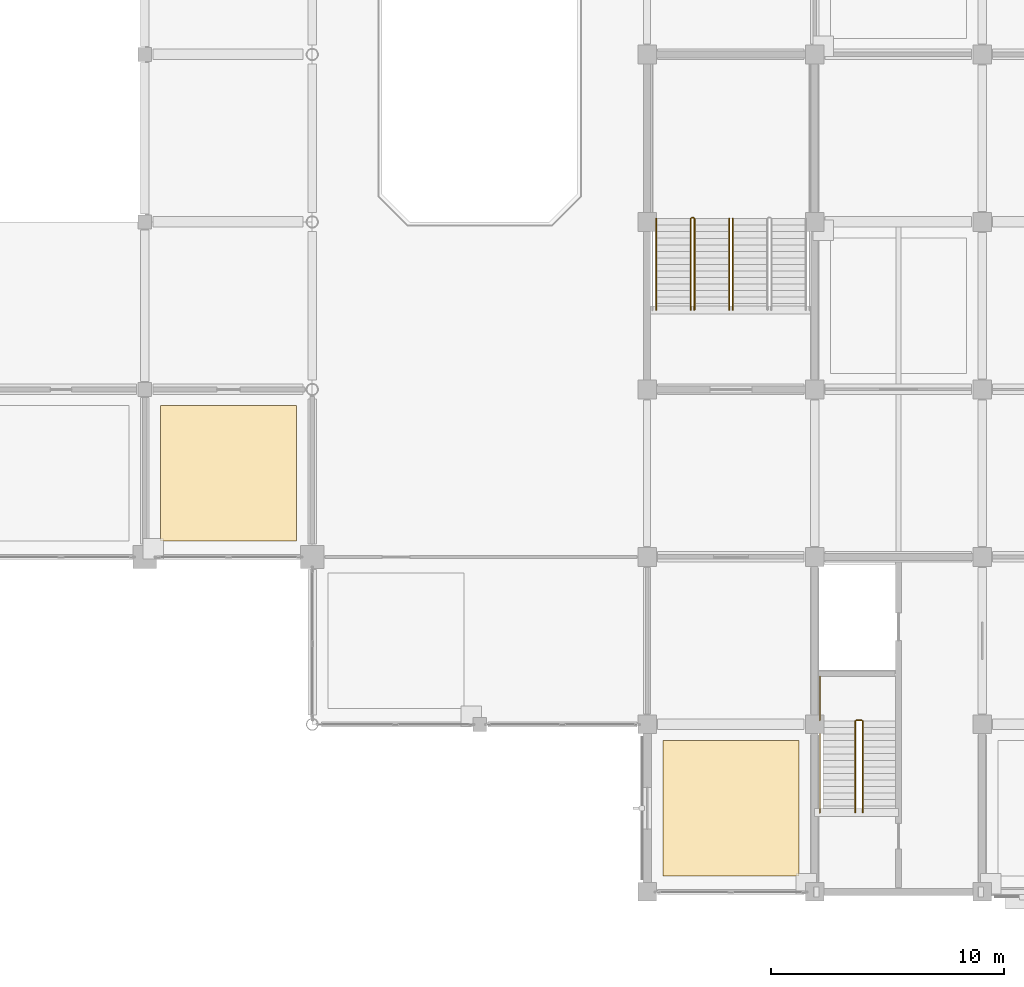
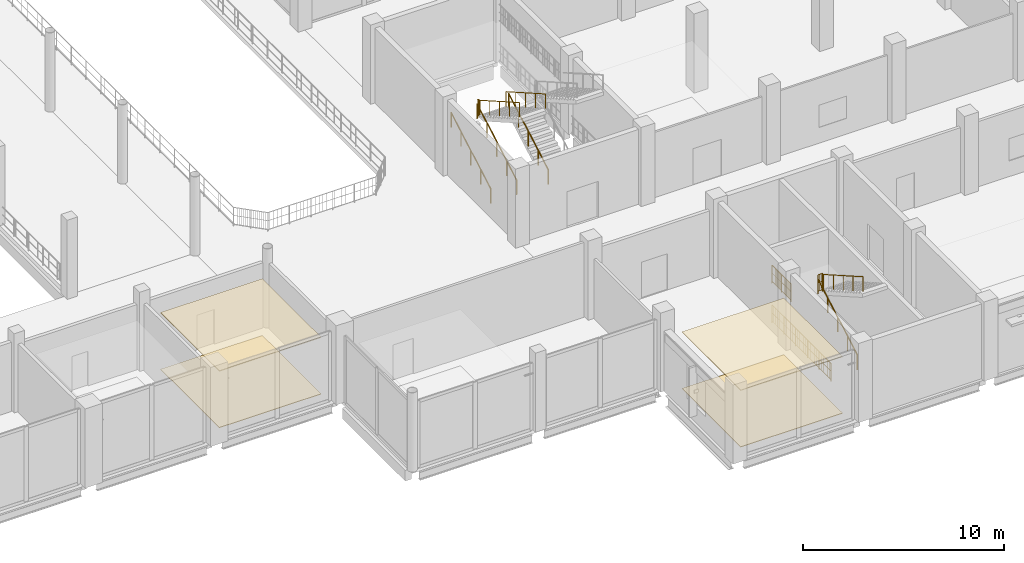
# One storey, part 85 of 99: 11 railings, 4 coverings.
"""IFC4 building model written with IfcOpenShell, lengths in metres."""

from ifc_helpers import new_model, si_unit, direction, frame, origin, origin_2d, place, context, subcontext, project, spatial, polyline, circle, outline, extrude, material, layer, layer_set, type_object, element, save


model = new_model("IFC4")

# Units and contexts
model_context = context("Model", 3, precision=1e-05, world=origin(), true_north=direction((0.0, 1.0)))
body_context = subcontext(model_context, "Body", "Model", "MODEL_VIEW")
ifc_project = project(units=[si_unit("LENGTHUNIT", "METRE"), si_unit("AREAUNIT", "SQUARE_METRE"), si_unit("VOLUMEUNIT", "CUBIC_METRE"), si_unit("PLANEANGLEUNIT", "RADIAN"), si_unit("MASSUNIT", "GRAM", prefix="KILO")], contexts=[model_context])

# Site, building, storey
site_placement = place(None, origin())
site = spatial("IfcSite", under=ifc_project, at=site_placement, CompositionType="ELEMENT")
building_placement = place(site_placement, origin())
building = spatial("IfcBuilding", under=site, at=building_placement, Name="Vesperath Aquatics Centre", CompositionType="ELEMENT")
storey_placement = place(building_placement, frame((0.0, 0.0, 5.39990234375)))
storey = spatial("IfcBuildingStorey", under=building, at=storey_placement, Name="L01", CompositionType="ELEMENT", Elevation=5.39990234375)

# Coverings
ifc_material_1 = material(Name="Perforated moisture-resistant acoustic mineral-fibre ceiling", Category="gypsum")
ifc_layer_1 = layer(ifc_material_1, 0.044921875)
ifc_layer_set_1 = layer_set([ifc_layer_1], Name="Perforated moisture-resistant acoustic mineral-fibre ceiling")
covering_type_1 = type_object("IfcCoveringType", Name="CV-CLG01", PredefinedType="CEILING", material=ifc_layer_set_1)
covering_1_placement = place(storey_placement, frame((0.0, 0.0, 3.425048828125)))
element("IfcCovering", 1, at=covering_1_placement, inside=storey, type_object=covering_type_1, Name="Acoustic Suspended Ceiling CLG1 L01_SPEC_AWC", PredefinedType="CEILING", context=body_context, shape_type="SweptSolid", body=[
    extrude(outline(polyline([(94.280029296875, 15.080078125), (100.1201171875, 15.080078125), (100.1201171875, 20.919921875), (94.280029296875, 20.919921875), (94.280029296875, 15.080078125)])), origin(), (0.0, 0.0, 1.0), 0.045166015625),
])
covering_2_placement = place(storey_placement, frame((0.0, 0.0, 3.425048828125)))
element("IfcCovering", 2, at=covering_2_placement, inside=storey, type_object=covering_type_1, Name="Acoustic Suspended Ceiling CLG1 L01_HYDRO", PredefinedType="CEILING", context=body_context, shape_type="SweptSolid", body=[
    extrude(outline(polyline([(115.8798828125, 0.679931640625), (121.719970703125, 0.679931640625), (121.719970703125, 6.52001953125), (115.8798828125, 6.52001953125), (115.8798828125, 0.679931640625)])), origin(), (0.0, 0.0, 1.0), 0.045166015625),
])
ifc_material_2 = material(Name="Slip-resistant vitrified ceramic and terrazzo flooring", Category="ceramic")
ifc_layer_2 = layer(ifc_material_2, 0.030029296875)
ifc_layer_set_2 = layer_set([ifc_layer_2], Name="Slip-resistant vitrified ceramic and terrazzo flooring")
covering_type_2 = type_object("IfcCoveringType", Name="CV-FLR01", PredefinedType="FLOORING", material=ifc_layer_set_2)
covering_3_placement = place(storey_placement, origin())
element("IfcCovering", 3, at=covering_3_placement, inside=storey, type_object=covering_type_2, Name="Slip-Resistant Floor Finish FLR1 L01_SPEC_AWC", PredefinedType="FLOORING", context=body_context, shape_type="SweptSolid", body=[
    extrude(outline(polyline([(94.280029296875, 15.080078125), (100.1201171875, 15.080078125), (100.1201171875, 20.919921875), (94.280029296875, 20.919921875), (94.280029296875, 15.080078125)])), origin(), (0.0, 0.0, 1.0), 0.030029296875),
])
covering_4_placement = place(storey_placement, origin())
element("IfcCovering", 4, at=covering_4_placement, inside=storey, type_object=covering_type_2, Name="Slip-Resistant Floor Finish FLR1 L01_HYDRO", PredefinedType="FLOORING", context=body_context, shape_type="SweptSolid", body=[
    extrude(outline(polyline([(115.8798828125, 0.679931640625), (121.719970703125, 0.679931640625), (121.719970703125, 6.52001953125), (115.8798828125, 6.52001953125), (115.8798828125, 0.679931640625)])), origin(), (0.0, 0.0, 1.0), 0.030029296875),
])

# Railings
ifc_material_3 = material(Name="Powder-coated galvanized steel safety guard", Category="steel")
railing_type_1 = type_object("IfcRailingType", Name="RL-GRD01", PredefinedType="GUARDRAIL", material=ifc_material_3)
railing_1_placement = place(storey_placement, frame((124.179931640625, 7.3798828125, 2.400146484375)))
element("IfcRailing", 5, at=railing_1_placement, inside=storey, type_object=railing_type_1, Name="Stair ST5 Half-Landing Slot Guard GR02 L01", PredefinedType="GUARDRAIL", context=body_context, shape_type="SweptSolid", body=[
    extrude(circle(Radius=0.02392578125, at=origin_2d()), frame((0.0, 0.0, 1.0859375), z_axis=(1.0, 0.0, 0.0), x_axis=(0.0, 1.0, 0.0)), (0.0, 0.0, 1.0), 0.260009765625),
    extrude(circle(Radius=0.01611328125, at=origin_2d()), frame((0.0, 0.0, 0.10009765625), z_axis=(1.0, 0.0, 0.0), x_axis=(0.0, 1.0, 0.0)), (0.0, 0.0, 1.0), 0.260009765625),
    extrude(circle(Radius=0.01611328125, at=origin_2d()), frame((0.0, 0.0, 0.610595703125), z_axis=(1.0, 0.0, 0.0), x_axis=(0.0, 1.0, 0.0)), (0.0, 0.0, 1.0), 0.260009765625),
    extrude(circle(Radius=0.009033203125, at=origin_2d()), frame((0.086669921875, 0.0, 0.10009765625)), (0.0, 0.0, 1.0), 0.9619140625),
    extrude(circle(Radius=0.009033203125, at=origin_2d()), frame((0.17333984375, 0.0, 0.10009765625)), (0.0, 0.0, 1.0), 0.9619140625),
    extrude(circle(Radius=0.02197265625, at=origin_2d()), origin(), (0.0, 0.0, 1.0), 1.0859375),
    extrude(circle(Radius=0.02197265625, at=origin_2d()), frame((0.260009765625, 0.0, 0.0)), (0.0, 0.0, 1.0), 1.0859375),
])
railing_2_placement = place(storey_placement, frame((122.6201171875, 7.3798828125, 2.400146484375)))
element("IfcRailing", 6, at=railing_2_placement, inside=storey, type_object=railing_type_1, Name="Stair ST5 Half-Landing Wall Guard GR02 L01", PredefinedType="GUARDRAIL", context=body_context, shape_type="SweptSolid", body=[
    extrude(circle(Radius=0.02392578125, at=origin_2d()), frame((0.0, 0.0, 1.0859375), z_axis=(0.0, 1.0, 0.0), x_axis=(-1.0, 0.0, 0.0)), (0.0, 0.0, 1.0), 1.880126953125),
    extrude(circle(Radius=0.01611328125, at=origin_2d()), frame((0.0, 0.0, 0.10009765625), z_axis=(0.0, 1.0, 0.0), x_axis=(-1.0, 0.0, 0.0)), (0.0, 0.0, 1.0), 1.880126953125),
    extrude(circle(Radius=0.01611328125, at=origin_2d()), frame((0.0, 0.0, 0.610595703125), z_axis=(0.0, 1.0, 0.0), x_axis=(-1.0, 0.0, 0.0)), (0.0, 0.0, 1.0), 1.880126953125),
    extrude(circle(Radius=0.009033203125, at=origin_2d()), frame((0.0, 0.1044921875, 0.10009765625)), (0.0, 0.0, 1.0), 0.9619140625),
    extrude(circle(Radius=0.009033203125, at=origin_2d()), frame((0.0, 0.208984375, 0.10009765625)), (0.0, 0.0, 1.0), 0.9619140625),
    extrude(circle(Radius=0.009033203125, at=origin_2d()), frame((0.0, 0.3134765625, 0.10009765625)), (0.0, 0.0, 1.0), 0.9619140625),
    extrude(circle(Radius=0.009033203125, at=origin_2d()), frame((0.0, 0.417724609375, 0.10009765625)), (0.0, 0.0, 1.0), 0.9619140625),
    extrude(circle(Radius=0.009033203125, at=origin_2d()), frame((0.0, 0.522216796875, 0.10009765625)), (0.0, 0.0, 1.0), 0.9619140625),
    extrude(circle(Radius=0.009033203125, at=origin_2d()), frame((0.0, 0.626708984375, 0.10009765625)), (0.0, 0.0, 1.0), 0.9619140625),
    extrude(circle(Radius=0.009033203125, at=origin_2d()), frame((0.0, 0.731201171875, 0.10009765625)), (0.0, 0.0, 1.0), 0.9619140625),
    extrude(circle(Radius=0.009033203125, at=origin_2d()), frame((0.0, 0.835693359375, 0.10009765625)), (0.0, 0.0, 1.0), 0.9619140625),
    extrude(circle(Radius=0.009033203125, at=origin_2d()), frame((0.0, 0.93994140625, 0.10009765625)), (0.0, 0.0, 1.0), 0.9619140625),
    extrude(circle(Radius=0.009033203125, at=origin_2d()), frame((0.0, 1.04443359375, 0.10009765625)), (0.0, 0.0, 1.0), 0.9619140625),
    extrude(circle(Radius=0.009033203125, at=origin_2d()), frame((0.0, 1.14892578125, 0.10009765625)), (0.0, 0.0, 1.0), 0.9619140625),
    extrude(circle(Radius=0.009033203125, at=origin_2d()), frame((0.0, 1.25341796875, 0.10009765625)), (0.0, 0.0, 1.0), 0.9619140625),
    extrude(circle(Radius=0.009033203125, at=origin_2d()), frame((0.0, 1.35791015625, 0.10009765625)), (0.0, 0.0, 1.0), 0.9619140625),
    extrude(circle(Radius=0.009033203125, at=origin_2d()), frame((0.0, 1.46240234375, 0.10009765625)), (0.0, 0.0, 1.0), 0.9619140625),
    extrude(circle(Radius=0.009033203125, at=origin_2d()), frame((0.0, 1.56689453125, 0.10009765625)), (0.0, 0.0, 1.0), 0.9619140625),
    extrude(circle(Radius=0.009033203125, at=origin_2d()), frame((0.0, 1.671142578125, 0.10009765625)), (0.0, 0.0, 1.0), 0.9619140625),
    extrude(circle(Radius=0.009033203125, at=origin_2d()), frame((0.0, 1.775634765625, 0.10009765625)), (0.0, 0.0, 1.0), 0.9619140625),
    extrude(circle(Radius=0.02197265625, at=origin_2d()), origin(), (0.0, 0.0, 1.0), 1.0859375),
    extrude(circle(Radius=0.02197265625, at=origin_2d()), frame((0.0, 0.93994140625, 0.0)), (0.0, 0.0, 1.0), 1.0859375),
    extrude(circle(Radius=0.02197265625, at=origin_2d()), frame((0.0, 1.880126953125, 0.0)), (0.0, 0.0, 1.0), 1.0859375),
])
railing_3_placement = place(storey_placement, frame((122.6201171875, 3.39990234375, 0.0)))
element("IfcRailing", 7, at=railing_3_placement, inside=storey, type_object=railing_type_1, Name="Stair ST5 Shaft Side Guard GR02 L01", PredefinedType="GUARDRAIL", context=body_context, shape_type="SweptSolid", body=[
    extrude(circle(Radius=0.02392578125, at=origin_2d()), frame((0.0, 0.0, 1.0859375), z_axis=(0.0, 1.0, 0.0), x_axis=(-1.0, 0.0, 0.0)), (0.0, 0.0, 1.0), 5.840087890625),
    extrude(circle(Radius=0.01611328125, at=origin_2d()), frame((0.0, 0.0, 0.10009765625), z_axis=(0.0, 1.0, 0.0), x_axis=(-1.0, 0.0, 0.0)), (0.0, 0.0, 1.0), 5.840087890625),
    extrude(circle(Radius=0.01611328125, at=origin_2d()), frame((0.0, 0.0, 0.610595703125), z_axis=(0.0, 1.0, 0.0), x_axis=(-1.0, 0.0, 0.0)), (0.0, 0.0, 1.0), 5.840087890625),
    extrude(circle(Radius=0.009033203125, at=origin_2d()), frame((0.0, 0.108154296875, 0.10009765625)), (0.0, 0.0, 1.0), 0.9619140625),
    extrude(circle(Radius=0.009033203125, at=origin_2d()), frame((0.0, 0.324462890625, 0.10009765625)), (0.0, 0.0, 1.0), 0.9619140625),
    extrude(circle(Radius=0.009033203125, at=origin_2d()), frame((0.0, 0.540771484375, 0.10009765625)), (0.0, 0.0, 1.0), 0.9619140625),
    extrude(circle(Radius=0.009033203125, at=origin_2d()), frame((0.0, 0.757080078125, 0.10009765625)), (0.0, 0.0, 1.0), 0.9619140625),
    extrude(circle(Radius=0.009033203125, at=origin_2d()), frame((0.0, 0.973388671875, 0.10009765625)), (0.0, 0.0, 1.0), 0.9619140625),
    extrude(circle(Radius=0.009033203125, at=origin_2d()), frame((0.0, 1.189697265625, 0.10009765625)), (0.0, 0.0, 1.0), 0.9619140625),
    extrude(circle(Radius=0.009033203125, at=origin_2d()), frame((0.0, 1.406005859375, 0.10009765625)), (0.0, 0.0, 1.0), 0.9619140625),
    extrude(circle(Radius=0.009033203125, at=origin_2d()), frame((0.0, 1.622314453125, 0.10009765625)), (0.0, 0.0, 1.0), 0.9619140625),
    extrude(circle(Radius=0.009033203125, at=origin_2d()), frame((0.0, 1.838623046875, 0.10009765625)), (0.0, 0.0, 1.0), 0.9619140625),
    extrude(circle(Radius=0.009033203125, at=origin_2d()), frame((0.0, 2.054931640625, 0.10009765625)), (0.0, 0.0, 1.0), 0.9619140625),
    extrude(circle(Radius=0.009033203125, at=origin_2d()), frame((0.0, 2.271240234375, 0.10009765625)), (0.0, 0.0, 1.0), 0.9619140625),
    extrude(circle(Radius=0.009033203125, at=origin_2d()), frame((0.0, 2.487548828125, 0.10009765625)), (0.0, 0.0, 1.0), 0.9619140625),
    extrude(circle(Radius=0.009033203125, at=origin_2d()), frame((0.0, 2.703857421875, 0.10009765625)), (0.0, 0.0, 1.0), 0.9619140625),
    extrude(circle(Radius=0.009033203125, at=origin_2d()), frame((0.0, 2.919921875, 0.10009765625)), (0.0, 0.0, 1.0), 0.9619140625),
    extrude(circle(Radius=0.009033203125, at=origin_2d()), frame((0.0, 3.13623046875, 0.10009765625)), (0.0, 0.0, 1.0), 0.9619140625),
    extrude(circle(Radius=0.009033203125, at=origin_2d()), frame((0.0, 3.3525390625, 0.10009765625)), (0.0, 0.0, 1.0), 0.9619140625),
    extrude(circle(Radius=0.009033203125, at=origin_2d()), frame((0.0, 3.56884765625, 0.10009765625)), (0.0, 0.0, 1.0), 0.9619140625),
    extrude(circle(Radius=0.009033203125, at=origin_2d()), frame((0.0, 3.78515625, 0.10009765625)), (0.0, 0.0, 1.0), 0.9619140625),
    extrude(circle(Radius=0.009033203125, at=origin_2d()), frame((0.0, 4.00146484375, 0.10009765625)), (0.0, 0.0, 1.0), 0.9619140625),
    extrude(circle(Radius=0.009033203125, at=origin_2d()), frame((0.0, 4.2177734375, 0.10009765625)), (0.0, 0.0, 1.0), 0.9619140625),
    extrude(circle(Radius=0.009033203125, at=origin_2d()), frame((0.0, 4.43408203125, 0.10009765625)), (0.0, 0.0, 1.0), 0.9619140625),
    extrude(circle(Radius=0.009033203125, at=origin_2d()), frame((0.0, 4.650390625, 0.10009765625)), (0.0, 0.0, 1.0), 0.9619140625),
    extrude(circle(Radius=0.009033203125, at=origin_2d()), frame((0.0, 4.86669921875, 0.10009765625)), (0.0, 0.0, 1.0), 0.9619140625),
    extrude(circle(Radius=0.009033203125, at=origin_2d()), frame((0.0, 5.0830078125, 0.10009765625)), (0.0, 0.0, 1.0), 0.9619140625),
    extrude(circle(Radius=0.009033203125, at=origin_2d()), frame((0.0, 5.29931640625, 0.10009765625)), (0.0, 0.0, 1.0), 0.9619140625),
    extrude(circle(Radius=0.009033203125, at=origin_2d()), frame((0.0, 5.515625, 0.10009765625)), (0.0, 0.0, 1.0), 0.9619140625),
    extrude(circle(Radius=0.009033203125, at=origin_2d()), frame((0.0, 5.73193359375, 0.10009765625)), (0.0, 0.0, 1.0), 0.9619140625),
    extrude(circle(Radius=0.02197265625, at=origin_2d()), origin(), (0.0, 0.0, 1.0), 1.0859375),
    extrude(circle(Radius=0.02197265625, at=origin_2d()), frame((0.0, 1.16796875, 0.0)), (0.0, 0.0, 1.0), 1.0859375),
    extrude(circle(Radius=0.02197265625, at=origin_2d()), frame((0.0, 2.3359375, 0.0)), (0.0, 0.0, 1.0), 1.0859375),
    extrude(circle(Radius=0.02197265625, at=origin_2d()), frame((0.0, 3.504150390625, 0.0)), (0.0, 0.0, 1.0), 1.0859375),
    extrude(circle(Radius=0.02197265625, at=origin_2d()), frame((0.0, 4.672119140625, 0.0)), (0.0, 0.0, 1.0), 1.0859375),
    extrude(circle(Radius=0.02197265625, at=origin_2d()), frame((0.0, 5.840087890625, 0.0)), (0.0, 0.0, 1.0), 1.0859375),
])
railing_4_placement = place(storey_placement, frame((117.10009765625, 28.97998046875, 2.400146484375)))
element("IfcRailing", 8, at=railing_4_placement, inside=storey, type_object=railing_type_1, Name="Stair ST7A Half-Landing Slot Guard GR02 L01", PredefinedType="GUARDRAIL", context=body_context, shape_type="SweptSolid", body=[
    extrude(circle(Radius=0.02392578125, at=origin_2d()), frame((0.0, 0.0, 1.0859375), z_axis=(1.0, 0.0, 0.0), x_axis=(0.0, 1.0, 0.0)), (0.0, 0.0, 1.0), 0.099853515625),
    extrude(circle(Radius=0.01611328125, at=origin_2d()), frame((0.0, 0.0, 0.10009765625), z_axis=(1.0, 0.0, 0.0), x_axis=(0.0, 1.0, 0.0)), (0.0, 0.0, 1.0), 0.099853515625),
    extrude(circle(Radius=0.01611328125, at=origin_2d()), frame((0.0, 0.0, 0.610595703125), z_axis=(1.0, 0.0, 0.0), x_axis=(0.0, 1.0, 0.0)), (0.0, 0.0, 1.0), 0.099853515625),
    extrude(circle(Radius=0.009033203125, at=origin_2d()), frame((0.0498046875, 0.0, 0.10009765625)), (0.0, 0.0, 1.0), 0.9619140625),
    extrude(circle(Radius=0.02197265625, at=origin_2d()), origin(), (0.0, 0.0, 1.0), 1.0859375),
    extrude(circle(Radius=0.02197265625, at=origin_2d()), frame((0.099853515625, 0.0, 0.0)), (0.0, 0.0, 1.0), 1.0859375),
])
ifc_material_4 = material(Name="Brushed stainless steel tubular handrail", Category="steel")
railing_type_2 = type_object("IfcRailingType", Name="RL-HND01", PredefinedType="HANDRAIL", material=ifc_material_4)
railing_5_placement = place(storey_placement, frame((124.14990234375, 3.419921875, 0.16015625)))
element("IfcRailing", 9, at=railing_5_placement, inside=storey, type_object=railing_type_2, Name="Stair ST5 Flight 1 Handrail HR01 L01", PredefinedType="HANDRAIL", context=body_context, shape_type="SweptSolid", body=[
    extrude(circle(Radius=0.02392578125, at=origin_2d()), frame((0.0, 0.0, 0.8759765625), z_axis=(0.0, 0.86825312469, 0.496121468458), x_axis=(-1.0, 0.0, 0.0)), (0.0, 0.0, 1.0), 4.514892578125),
    extrude(circle(Radius=0.02197265625, at=origin_2d()), origin(), (0.0, 0.0, 1.0), 0.8759765625),
    extrude(circle(Radius=0.02197265625, at=origin_2d()), frame((0.0, 0.97998046875, 0.56005859375)), (0.0, 0.0, 1.0), 0.8759765625),
    extrude(circle(Radius=0.02197265625, at=origin_2d()), frame((0.0, 1.9599609375, 1.1201171875)), (0.0, 0.0, 1.0), 0.8759765625),
    extrude(circle(Radius=0.02197265625, at=origin_2d()), frame((0.0, 2.940185546875, 1.679931640625)), (0.0, 0.0, 1.0), 0.8759765625),
    extrude(circle(Radius=0.02197265625, at=origin_2d()), frame((0.0, 3.920166015625, 2.239990234375)), (0.0, 0.0, 1.0), 0.8759765625),
])
railing_6_placement = place(storey_placement, frame((124.469970703125, 7.340087890625, 2.56005859375)))
element("IfcRailing", 10, at=railing_6_placement, inside=storey, type_object=railing_type_2, Name="Stair ST5 Flight 2 Handrail HR01 L01", PredefinedType="HANDRAIL", context=body_context, shape_type="SweptSolid", body=[
    extrude(circle(Radius=0.02392578125, at=origin_2d()), frame((0.0, 0.0, 0.8759765625), z_axis=(0.0, -0.86825312469, 0.496121468458), x_axis=(1.0, 0.0, 0.0)), (0.0, 0.0, 1.0), 4.514892578125),
    extrude(circle(Radius=0.02197265625, at=origin_2d()), origin(), (0.0, 0.0, 1.0), 0.8759765625),
    extrude(circle(Radius=0.02197265625, at=origin_2d()), frame((0.0, -0.97998046875, 0.56005859375)), (0.0, 0.0, 1.0), 0.8759765625),
    extrude(circle(Radius=0.02197265625, at=origin_2d()), frame((0.0, -1.9599609375, 1.1201171875)), (0.0, 0.0, 1.0), 0.8759765625),
    extrude(circle(Radius=0.02197265625, at=origin_2d()), frame((0.0, -2.940185546875, 1.679931640625)), (0.0, 0.0, 1.0), 0.8759765625),
    extrude(circle(Radius=0.02197265625, at=origin_2d()), frame((0.0, -3.920166015625, 2.239990234375)), (0.0, 0.0, 1.0), 0.8759765625),
])
railing_7_placement = place(storey_placement, frame((117.070068359375, 25.02001953125, 0.16015625)))
element("IfcRailing", 11, at=railing_7_placement, inside=storey, type_object=railing_type_2, Name="Stair ST7A Flight 1 Handrail HR01 L01", PredefinedType="HANDRAIL", context=body_context, shape_type="SweptSolid", body=[
    extrude(circle(Radius=0.02392578125, at=origin_2d()), frame((0.0, 0.0, 0.8759765625), z_axis=(0.0, 0.868239814368, 0.496144761885), x_axis=(-1.0, 0.0, 0.0)), (0.0, 0.0, 1.0), 4.514892578125),
    extrude(circle(Radius=0.02197265625, at=origin_2d()), origin(), (0.0, 0.0, 1.0), 0.8759765625),
    extrude(circle(Radius=0.02197265625, at=origin_2d()), frame((0.0, 0.97998046875, 0.56005859375)), (0.0, 0.0, 1.0), 0.8759765625),
    extrude(circle(Radius=0.02197265625, at=origin_2d()), frame((0.0, 1.9599609375, 1.1201171875)), (0.0, 0.0, 1.0), 0.8759765625),
    extrude(circle(Radius=0.02197265625, at=origin_2d()), frame((0.0, 2.93994140625, 1.679931640625)), (0.0, 0.0, 1.0), 0.8759765625),
    extrude(circle(Radius=0.02197265625, at=origin_2d()), frame((0.0, 3.919921875, 2.239990234375)), (0.0, 0.0, 1.0), 0.8759765625),
])
railing_8_placement = place(storey_placement, frame((117.22998046875, 28.93994140625, 2.56005859375)))
element("IfcRailing", 12, at=railing_8_placement, inside=storey, type_object=railing_type_2, Name="Stair ST7A Flight 2 Handrail HR01 L01", PredefinedType="HANDRAIL", context=body_context, shape_type="SweptSolid", body=[
    extrude(circle(Radius=0.02392578125, at=origin_2d()), frame((0.0, 0.0, 0.8759765625), z_axis=(0.0, -0.868239814368, 0.496144761885), x_axis=(1.0, 0.0, 0.0)), (0.0, 0.0, 1.0), 4.514892578125),
    extrude(circle(Radius=0.02197265625, at=origin_2d()), origin(), (0.0, 0.0, 1.0), 0.8759765625),
    extrude(circle(Radius=0.02197265625, at=origin_2d()), frame((0.0, -0.97998046875, 0.56005859375)), (0.0, 0.0, 1.0), 0.8759765625),
    extrude(circle(Radius=0.02197265625, at=origin_2d()), frame((0.0, -1.9599609375, 1.1201171875)), (0.0, 0.0, 1.0), 0.8759765625),
    extrude(circle(Radius=0.02197265625, at=origin_2d()), frame((0.0, -2.93994140625, 1.679931640625)), (0.0, 0.0, 1.0), 0.8759765625),
    extrude(circle(Radius=0.02197265625, at=origin_2d()), frame((0.0, -3.919921875, 2.239990234375)), (0.0, 0.0, 1.0), 0.8759765625),
])
railing_9_placement = place(storey_placement, frame((115.580078125, 25.02001953125, 0.16015625)))
element("IfcRailing", 13, at=railing_9_placement, inside=storey, type_object=railing_type_2, Name="Stair ST7A Flight 1 Handrail HR01 L01", PredefinedType="HANDRAIL", context=body_context, shape_type="SweptSolid", body=[
    extrude(circle(Radius=0.02392578125, at=origin_2d()), frame((0.0, 0.0, 0.8759765625), z_axis=(0.0, 0.868239814368, 0.496144761885), x_axis=(-1.0, 0.0, 0.0)), (0.0, 0.0, 1.0), 4.514892578125),
    extrude(circle(Radius=0.02197265625, at=origin_2d()), origin(), (0.0, 0.0, 1.0), 0.8759765625),
    extrude(circle(Radius=0.02197265625, at=origin_2d()), frame((0.0, 0.97998046875, 0.56005859375)), (0.0, 0.0, 1.0), 0.8759765625),
    extrude(circle(Radius=0.02197265625, at=origin_2d()), frame((0.0, 1.9599609375, 1.1201171875)), (0.0, 0.0, 1.0), 0.8759765625),
    extrude(circle(Radius=0.02197265625, at=origin_2d()), frame((0.0, 2.93994140625, 1.679931640625)), (0.0, 0.0, 1.0), 0.8759765625),
    extrude(circle(Radius=0.02197265625, at=origin_2d()), frame((0.0, 3.919921875, 2.239990234375)), (0.0, 0.0, 1.0), 0.8759765625),
])
railing_10_placement = place(storey_placement, frame((118.719970703125, 28.93994140625, 2.56005859375)))
element("IfcRailing", 14, at=railing_10_placement, inside=storey, type_object=railing_type_2, Name="Stair ST7A Flight 2 Handrail HR01 L01", PredefinedType="HANDRAIL", context=body_context, shape_type="SweptSolid", body=[
    extrude(circle(Radius=0.02392578125, at=origin_2d()), frame((0.0, 0.0, 0.8759765625), z_axis=(0.0, -0.868239814368, 0.496144761885), x_axis=(1.0, 0.0, 0.0)), (0.0, 0.0, 1.0), 4.514892578125),
    extrude(circle(Radius=0.02197265625, at=origin_2d()), origin(), (0.0, 0.0, 1.0), 0.8759765625),
    extrude(circle(Radius=0.02197265625, at=origin_2d()), frame((0.0, -0.97998046875, 0.56005859375)), (0.0, 0.0, 1.0), 0.8759765625),
    extrude(circle(Radius=0.02197265625, at=origin_2d()), frame((0.0, -1.9599609375, 1.1201171875)), (0.0, 0.0, 1.0), 0.8759765625),
    extrude(circle(Radius=0.02197265625, at=origin_2d()), frame((0.0, -2.93994140625, 1.679931640625)), (0.0, 0.0, 1.0), 0.8759765625),
    extrude(circle(Radius=0.02197265625, at=origin_2d()), frame((0.0, -3.919921875, 2.239990234375)), (0.0, 0.0, 1.0), 0.8759765625),
])
railing_11_placement = place(storey_placement, frame((118.8798828125, 25.02001953125, 0.16015625)))
element("IfcRailing", 15, at=railing_11_placement, inside=storey, type_object=railing_type_2, Name="Stair ST7B Flight 1 Handrail HR01 L01", PredefinedType="HANDRAIL", context=body_context, shape_type="SweptSolid", body=[
    extrude(circle(Radius=0.02392578125, at=origin_2d()), frame((0.0, 0.0, 0.8759765625), z_axis=(0.0, 0.868239814368, 0.496144761885), x_axis=(-1.0, 0.0, 0.0)), (0.0, 0.0, 1.0), 4.514892578125),
    extrude(circle(Radius=0.02197265625, at=origin_2d()), origin(), (0.0, 0.0, 1.0), 0.8759765625),
    extrude(circle(Radius=0.02197265625, at=origin_2d()), frame((0.0, 0.97998046875, 0.56005859375)), (0.0, 0.0, 1.0), 0.8759765625),
    extrude(circle(Radius=0.02197265625, at=origin_2d()), frame((0.0, 1.9599609375, 1.1201171875)), (0.0, 0.0, 1.0), 0.8759765625),
    extrude(circle(Radius=0.02197265625, at=origin_2d()), frame((0.0, 2.93994140625, 1.679931640625)), (0.0, 0.0, 1.0), 0.8759765625),
    extrude(circle(Radius=0.02197265625, at=origin_2d()), frame((0.0, 3.919921875, 2.239990234375)), (0.0, 0.0, 1.0), 0.8759765625),
])

save(model, "model.ifc")
